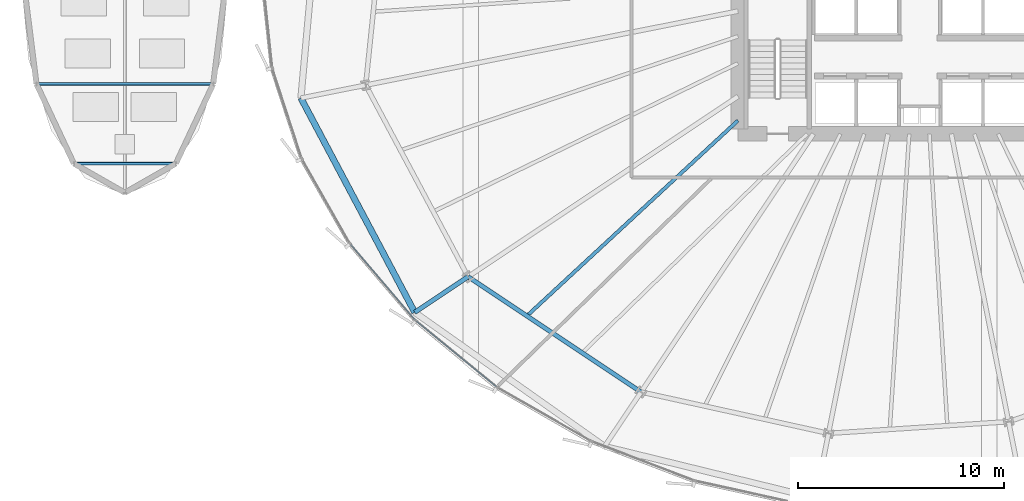
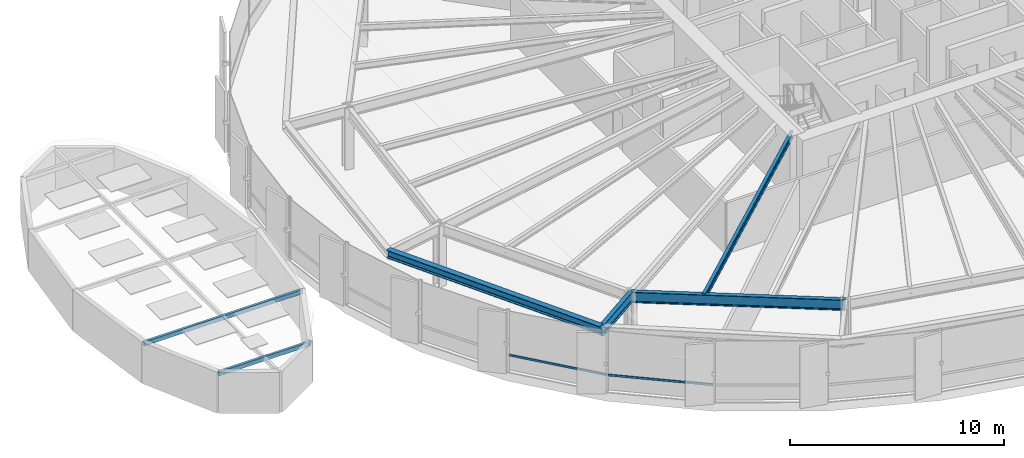
# One storey, part 4 of 38: 4 beams, 4 members, 1 element without a shape of its own.
"""IFC4 building model written with IfcOpenShell, lengths in metres."""

from ifc_helpers import new_model, si_unit, direction, frame, origin, origin_2d, place, context, subcontext, project, spatial, hollow_rectangle, i_section, extrude, source, transform, mapped, material, layer, layer_set, material_profile, profile_set, type_object, element, aggregate, save


model = new_model("IFC4")

# Units and contexts
model_context = context("Model", 3, precision=1e-05, world=origin(), true_north=direction((0.0, 1.0)))
body_context = subcontext(model_context, "Body", "Model", "MODEL_VIEW")
ifc_project = project(units=[si_unit("LENGTHUNIT", "METRE"), si_unit("AREAUNIT", "SQUARE_METRE"), si_unit("VOLUMEUNIT", "CUBIC_METRE"), si_unit("PLANEANGLEUNIT", "RADIAN"), si_unit("MASSUNIT", "GRAM", prefix="KILO"), si_unit("THERMODYNAMICTEMPERATUREUNIT", "KELVIN")], contexts=[model_context])

# Site, building, storey
site_placement = place(None, origin())
site = spatial("IfcSite", under=ifc_project, at=site_placement, CompositionType="ELEMENT")
building_placement = place(site_placement, origin())
building = spatial("IfcBuilding", under=site, at=building_placement, Name="Kethvar Cultural Tower", CompositionType="ELEMENT")
storey_placement = place(building_placement, frame((0.0, 0.0, 29.60009765625)))
storey = spatial("IfcBuildingStorey", under=building, at=storey_placement, Name="L06", CompositionType="ELEMENT", Elevation=29.60009765625)

# Beams
ifc_material_1 = material(Name="Steel S355J2", Category="steel")
ifc_material_profile_1 = material_profile(ifc_material_1, i_section(OverallWidth=0.219970703125, OverallDepth=0.60009765625, WebThickness=0.011962890625, FlangeThickness=0.01904296875, FilletRadius=0.02392578125, at=origin_2d()), Name="Steel S355J2 — IPE600")
ifc_profile_set_1 = profile_set([ifc_material_profile_1], Name="Steel S355J2 — IPE600")
beam_type_1 = type_object("IfcBeamType", Name="BM-IPE600", PredefinedType="BEAM", material=ifc_profile_set_1)
shared_shape_1 = source(origin(), body_context, "Body", "SweptSolid", [
    extrude(i_section(OverallWidth=0.219970703125, OverallDepth=0.60009765625, WebThickness=0.011962890625, FlangeThickness=0.01904296875, FilletRadius=0.02392578125, at=origin_2d()), origin(), (0.0, 0.0, 1.0), 3.107421875),
])
beam_1_placement = place(storey_placement, frame((24.9248046875, 13.183349609375, 3.247802734375), z_axis=(-0.831481753203, -0.555552062449, 0.0), x_axis=(0.555552062449, -0.831481753203, 0.0)))
element("IfcBeam", 1, at=beam_1_placement, inside=storey, type_object=beam_type_1, Name="L06 Perimeter Cantilever Beam RC-10", PredefinedType="BEAM", context=body_context, shape_type="MappedRepresentation", body=[
    mapped(shared_shape_1, transform((0.0, 0.0, 0.0), scale=1.0)),
])
ifc_material_profile_2 = material_profile(ifc_material_1, i_section(OverallWidth=0.300048828125, OverallDepth=0.449951171875, WebThickness=0.013916015625, FlangeThickness=0.02587890625, FilletRadius=0.027099609375, at=origin_2d()), Name="Steel S355J2 — HEB450")
ifc_profile_set_2 = profile_set([ifc_material_profile_2], Name="Steel S355J2 — HEB450")
beam_type_2 = type_object("IfcBeamType", Name="BM-SP450", PredefinedType="SPANDREL", material=ifc_profile_set_2)
shared_shape_2 = source(origin(), body_context, "Body", "SweptSolid", [
    extrude(i_section(OverallWidth=0.300048828125, OverallDepth=0.449951171875, WebThickness=0.013916015625, FlangeThickness=0.02587890625, FilletRadius=0.027099609375, at=origin_2d()), origin(), (0.0, 0.0, 1.0), 11.75439453125),
])
beam_2_placement = place(storey_placement, frame((16.827392578125, 21.838134765625, 3.322998046875), z_axis=(0.469069676038, -0.883161162541, 0.0), x_axis=(0.883161162541, 0.469069676038, 0.0)))
element("IfcBeam", 2, at=beam_2_placement, inside=storey, type_object=beam_type_2, Name="L06 Perimeter Spandrel Beam SP-09", PredefinedType="SPANDREL", context=body_context, shape_type="MappedRepresentation", body=[
    mapped(shared_shape_2, transform((0.0, 0.0, 0.0), scale=1.0)),
])
shared_shape_3 = source(origin(), body_context, "Body", "SweptSolid", [
    extrude(i_section(OverallWidth=0.219970703125, OverallDepth=0.60009765625, WebThickness=0.011962890625, FlangeThickness=0.01904296875, FilletRadius=0.02392578125, at=origin_2d()), origin(), (0.0, 0.0, 1.0), 10.06787109375),
])
beam_3_placement = place(storey_placement, frame((24.9248046875, 13.183349609375, 3.247802734375), z_axis=(0.832065216665, -0.554677812083, 0.0), x_axis=(0.554677812083, 0.832065216665, 0.0)))
element("IfcBeam", 3, at=beam_3_placement, inside=storey, type_object=beam_type_1, Name="L06 Column Ring Tie Beam CR-10", PredefinedType="BEAM", context=body_context, shape_type="MappedRepresentation", body=[
    mapped(shared_shape_3, transform((0.0, 0.0, 0.0), scale=1.0)),
])
ifc_material_profile_3 = material_profile(ifc_material_1, i_section(OverallWidth=0.169921875, OverallDepth=0.360107421875, WebThickness=0.008056640625, FlangeThickness=0.0126953125, FilletRadius=0.01806640625, at=origin_2d()), Name="Steel S355J2 — IPE360")
ifc_profile_set_3 = profile_set([ifc_material_profile_3], Name="Steel S355J2 — IPE360")
beam_type_3 = type_object("IfcBeamType", Name="BM-J360", PredefinedType="JOIST", material=ifc_profile_set_3)
shared_shape_4 = source(origin(), body_context, "Body", "SweptSolid", [
    extrude(i_section(OverallWidth=0.169921875, OverallDepth=0.360107421875, WebThickness=0.008056640625, FlangeThickness=0.0126953125, FilletRadius=0.01806640625, at=origin_2d()), origin(), (0.0, 0.0, 1.0), 13.93505859375),
])
beam_4_placement = place(storey_placement, frame((38.0, 20.75, 3.367919921875), z_axis=(-0.733909459287, -0.679247308106, 0.0), x_axis=(0.679247308106, -0.733909459287, 0.0)))
element("IfcBeam", 4, at=beam_4_placement, inside=storey, type_object=beam_type_3, Name="L06 Composite Floor Joist J-10A", PredefinedType="JOIST", context=body_context, shape_type="MappedRepresentation", body=[
    mapped(shared_shape_4, transform((0.0, 0.0, 0.0), scale=1.0)),
])

# Members
ifc_material_profile_4 = material_profile(ifc_material_1, hollow_rectangle(XDim=0.14990234375, YDim=0.25, WallThickness=0.010009765625, InnerFilletRadius=0.010009765625, OuterFilletRadius=0.02001953125, at=origin_2d()), Name="Steel S355J2 — RHS250x150x10")
ifc_profile_set_4 = profile_set([ifc_material_profile_4], Name="Steel S355J2 — RHS250x150x10")
member_type_1 = type_object("IfcMemberType", Name="MB-PUR-250", PredefinedType="PURLIN", material=ifc_profile_set_4)
shared_shape_5 = source(origin(), body_context, "Body", "SweptSolid", [
    extrude(hollow_rectangle(XDim=0.14990234375, YDim=0.25, WallThickness=0.010009765625, InnerFilletRadius=0.010009765625, OuterFilletRadius=0.02001953125, at=origin_2d()), origin(), (0.0, 0.0, 1.0), 8.57373046875),
])
member_1_placement = place(storey_placement, frame((4.01318359375, 22.52490234375, 2.2099609375), z_axis=(1.0, 0.0, 0.0), x_axis=(0.0, 1.0, 0.0)))
element("IfcMember", 5, at=member_1_placement, inside=storey, type_object=member_type_1, Name="Atrium Skylight Purlin PR-03", PredefinedType="PURLIN", context=body_context, shape_type="MappedRepresentation", body=[
    mapped(shared_shape_5, transform((0.0, 0.0, 0.0), scale=1.0)),
])
shared_shape_6 = source(origin(), body_context, "Body", "SweptSolid", [
    extrude(hollow_rectangle(XDim=0.14990234375, YDim=0.25, WallThickness=0.010009765625, InnerFilletRadius=0.010009765625, OuterFilletRadius=0.02001953125, at=origin_2d()), origin(), (0.0, 0.0, 1.0), 4.949951171875),
])
member_2_placement = place(storey_placement, frame((5.824951171875, 18.663330078125, 2.2099609375), z_axis=(1.0, 0.0, 0.0), x_axis=(0.0, 1.0, 0.0)))
element("IfcMember", 6, at=member_2_placement, inside=storey, type_object=member_type_1, Name="Atrium Skylight Purlin PR-05", PredefinedType="PURLIN", context=body_context, shape_type="MappedRepresentation", body=[
    mapped(shared_shape_6, transform((0.0, 0.0, 0.0), scale=1.0)),
])

# Curtain wall, members
ifc_material_2 = material(Name="Aluminium 6063-T6", Category="aluminium")
ifc_layer = layer(ifc_material_2, 0.179931640625, Name="Aluminium 6063-T6", Category="aluminium")
ifc_layer_set = layer_set([ifc_layer], Name="Aluminium 6063-T6 (180 mm)")
curtain_wall_type = type_object("IfcCurtainWallType", Name="CW-SYS-02-Z1", PredefinedType="NOTDEFINED", material=ifc_layer_set)
curtain_wall_placement = place(storey_placement, origin())
curtain_wall = element("IfcCurtainWall", 7, at=curtain_wall_placement, inside=storey, type_object=curtain_wall_type, Name="L06 Curtain Wall Run 04", PredefinedType="NOTDEFINED")
ifc_material_profile_5 = material_profile(ifc_material_2, hollow_rectangle(XDim=0.054931640625, YDim=0.1201171875, WallThickness=0.00390625, at=origin_2d()), Name="Aluminium 6063-T6 — RHS120x55x4")
ifc_profile_set_5 = profile_set([ifc_material_profile_5], Name="Aluminium 6063-T6 — RHS120x55x4")
member_type_2 = type_object("IfcMemberType", Name="CW-SYS-02-Z1-TRN", PredefinedType="USERDEFINED", material=ifc_profile_set_5)
shared_shape_7 = source(origin(), body_context, "Body", "SweptSolid", [
    extrude(hollow_rectangle(XDim=0.054931640625, YDim=0.1201171875, WallThickness=0.00390625, at=origin_2d()), origin(), (0.0, 0.0, 1.0), 4.826416015625),
])
member_3_placement = place(storey_placement, frame((19.243408203125, 14.742431640625, 0.949951171875), z_axis=(0.649461477569, -0.760394495741, 0.0), x_axis=(0.760394495741, 0.649461477569, 0.0)))
member_3 = element("IfcMember", 8, at=member_3_placement, type_object=member_type_2, Name="CW-L06-R04 Transom 4", ObjectType="TRANSOM", PredefinedType="USERDEFINED", context=body_context, shape_type="MappedRepresentation", body=[
    mapped(shared_shape_7, transform((0.0, 0.0, 0.0), scale=1.0)),
])
shared_shape_8 = source(origin(), body_context, "Body", "SweptSolid", [
    extrude(hollow_rectangle(XDim=0.054931640625, YDim=0.1201171875, WallThickness=0.00390625, at=origin_2d()), origin(), (0.0, 0.0, 1.0), 5.000244140625),
])
member_4_placement = place(storey_placement, frame((22.429443359375, 11.022216796875, 0.949951171875), z_axis=(0.773339125451, -0.633992584379, 0.0), x_axis=(0.633992584379, 0.773339125451, 0.0)))
member_4 = element("IfcMember", 9, at=member_4_placement, type_object=member_type_2, Name="CW-L06-R04 Transom 5", ObjectType="TRANSOM", PredefinedType="USERDEFINED", context=body_context, shape_type="MappedRepresentation", body=[
    mapped(shared_shape_8, transform((0.0, 0.0, 0.0), scale=1.0)),
])
aggregate(curtain_wall, [member_3, member_4])

save(model, "model.ifc")
